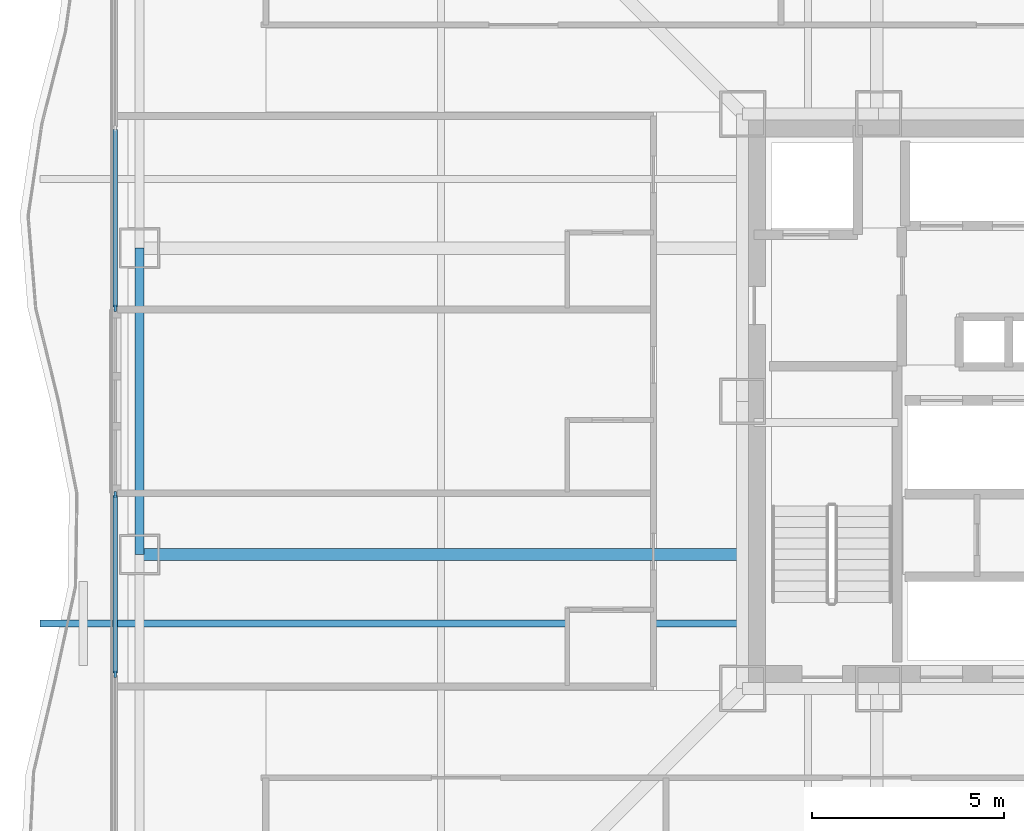
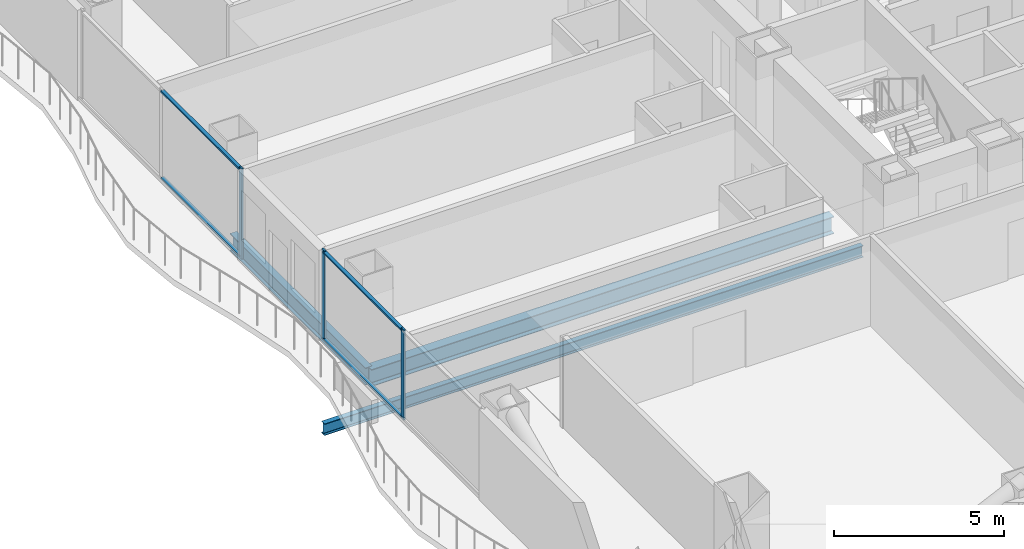
# One storey, part 4 of 24: 7 members, 3 beams, 2 elements without a shape of their own.
"""IFC4 building model written with IfcOpenShell, lengths in metres."""

from ifc_helpers import new_model, si_unit, direction, frame, origin, origin_2d, place, context, subcontext, project, spatial, rectangle, i_section, extrude, material, layer, layer_set, material_profile, profile_set, type_object, element, aggregate, save


model = new_model("IFC4")

# Units and contexts
model_context = context("Model", 3, precision=1e-05, world=origin(), true_north=direction((0.0, 1.0)))
body_context = subcontext(model_context, "Body", "Model", "MODEL_VIEW")
ifc_project = project(units=[si_unit("LENGTHUNIT", "METRE"), si_unit("AREAUNIT", "SQUARE_METRE"), si_unit("VOLUMEUNIT", "CUBIC_METRE"), si_unit("PLANEANGLEUNIT", "RADIAN"), si_unit("MASSUNIT", "GRAM", prefix="KILO")], contexts=[model_context])

# Site, building, storey
site_placement = place(None, origin())
site = spatial("IfcSite", under=ifc_project, at=site_placement, CompositionType="ELEMENT")
building_placement = place(site_placement, origin())
building = spatial("IfcBuilding", under=site, at=building_placement, Name="Trevonay Congress Spire", CompositionType="ELEMENT")
storey_placement = place(building_placement, frame((0.0, 0.0, 55.0)))
storey = spatial("IfcBuildingStorey", under=building, at=storey_placement, Name="L13", CompositionType="ELEMENT", Elevation=55.0)

# Beams
ifc_material_1 = material(Name="Steel ASTM A572 Grade 50", Category="steel")
ifc_material_profile_1 = material_profile(ifc_material_1, i_section(OverallWidth=0.324951171875, OverallDepth=0.615966796875, WebThickness=0.013916015625, FlangeThickness=0.021484375, FilletRadius=0.01806640625, at=origin_2d()), Name="W610x174")
ifc_profile_set_1 = profile_set([ifc_material_profile_1], Name="Steel ASTM A572 Grade 50")
beam_type_1 = type_object("IfcBeamType", Name="BM-GIRD-W610X174", PredefinedType="BEAM", material=ifc_profile_set_1)
beam_1_placement = place(storey_placement, frame((-7.5, -4.0, -0.55810546875), z_axis=(-1.0, 0.0, 0.0), x_axis=(0.0, -1.0, 0.0)))
element("IfcBeam", 1, at=beam_1_placement, inside=storey, type_object=beam_type_1, Name="L13 structural beam BM-L13-GW-M", PredefinedType="BEAM", context=body_context, shape_type="SweptSolid", body=[
    extrude(i_section(OverallWidth=0.324951171875, OverallDepth=0.615966796875, WebThickness=0.013916015625, FlangeThickness=0.021484375, FilletRadius=0.01806640625, at=origin_2d()), origin(), (0.0, 0.0, 1.0), 15.75),
])
ifc_material_profile_2 = material_profile(ifc_material_1, i_section(OverallWidth=0.22998046875, OverallDepth=0.616943359375, WebThickness=0.01318359375, FlangeThickness=0.022216796875, FilletRadius=0.01611328125, at=origin_2d()), Name="W610x140")
ifc_profile_set_2 = profile_set([ifc_material_profile_2], Name="Steel ASTM A572 Grade 50")
beam_type_2 = type_object("IfcBeamType", Name="BM-RING-W610X140", PredefinedType="BEAM", material=ifc_profile_set_2)
beam_2_placement = place(storey_placement, frame((-23.25, -4.0, -0.55859375), z_axis=(0.0, 1.0, 0.0), x_axis=(-1.0, 0.0, 0.0)))
element("IfcBeam", 2, at=beam_2_placement, inside=storey, type_object=beam_type_2, Name="L13 structural beam BM-L13-PW3", PredefinedType="BEAM", context=body_context, shape_type="SweptSolid", body=[
    extrude(i_section(OverallWidth=0.22998046875, OverallDepth=0.616943359375, WebThickness=0.01318359375, FlangeThickness=0.022216796875, FilletRadius=0.01611328125, at=origin_2d()), origin(), (0.0, 0.0, 1.0), 8.0),
])
ifc_material_profile_3 = material_profile(ifc_material_1, i_section(OverallWidth=0.180908203125, OverallDepth=0.4169921875, WebThickness=0.010986328125, FlangeThickness=0.018310546875, FilletRadius=0.012939453125, at=origin_2d()), Name="W410x85")
ifc_profile_set_3 = profile_set([ifc_material_profile_3], Name="Steel ASTM A572 Grade 50")
beam_type_3 = type_object("IfcBeamType", Name="BM-WAV-LOOKOUT", PredefinedType="BEAM", material=ifc_profile_set_3)
beam_3_placement = place(storey_placement, frame((-7.5, -5.800048828125, -0.45849609375), z_axis=(-1.0, 0.0, 0.0), x_axis=(0.0, -1.0, 0.0)))
element("IfcBeam", 3, at=beam_3_placement, inside=storey, type_object=beam_type_3, Name="L13 structural beam WLK-L13-W1", PredefinedType="BEAM", context=body_context, shape_type="SweptSolid", body=[
    extrude(i_section(OverallWidth=0.180908203125, OverallDepth=0.4169921875, WebThickness=0.010986328125, FlangeThickness=0.018310546875, FilletRadius=0.012939453125, at=origin_2d()), origin(), (0.0, 0.0, 1.0), 18.35009765625),
])

# Curtain wall, members
ifc_material_2 = material(Name="Pale Anodised Aluminium EN AW-6063-T6", Category="aluminium")
ifc_layer = layer(ifc_material_2, 0.179931640625, Name="Pale Anodised Aluminium EN AW-6063-T6")
ifc_layer_set = layer_set([ifc_layer], Name="Pale Anodised Aluminium EN AW-6063-T6")
curtain_wall_type = type_object("IfcCurtainWallType", Name="CW-SYS02-HOTEL-PALE-METAL", PredefinedType="NOTDEFINED", material=ifc_layer_set)
curtain_wall_1_placement = place(storey_placement, origin())
curtain_wall_1 = element("IfcCurtainWall", 4, at=curtain_wall_1_placement, inside=storey, type_object=curtain_wall_type, Name="L13 WA unitised curtain wall", PredefinedType="NOTDEFINED")
ifc_material_profile_4 = material_profile(ifc_material_2, rectangle(XDim=0.06005859375, YDim=0.159912109375, at=origin_2d()), Name="CW-MULLION-160-ALUMINIUM")
ifc_profile_set_4 = profile_set([ifc_material_profile_4], Name="Pale Anodised Aluminium EN AW-6063-T6")
member_type_1 = type_object("IfcMemberType", Name="CW-MULLION-160-ALUMINIUM", PredefinedType="MULLION", material=ifc_profile_set_4)
member_1_placement = place(storey_placement, frame((-23.8798828125, -7.125, 0.0), z_axis=(0.0, 0.0, 1.0), x_axis=(-1.0, 0.0, 0.0)))
member_1 = element("IfcMember", 5, at=member_1_placement, type_object=member_type_1, Name="CW02 mullion 2", PredefinedType="MULLION", context=body_context, shape_type="SweptSolid", body=[
    extrude(rectangle(XDim=0.06005859375, YDim=0.159912109375, at=origin_2d()), origin(), (0.0, 0.0, 1.0), 3.25),
])
member_2_placement = place(storey_placement, frame((-23.8798828125, -2.429931640625, 0.0), z_axis=(0.0, 0.0, 1.0), x_axis=(-1.0, 0.0, 0.0)))
member_2 = element("IfcMember", 6, at=member_2_placement, type_object=member_type_1, Name="CW02 mullion 3", PredefinedType="MULLION", context=body_context, shape_type="SweptSolid", body=[
    extrude(rectangle(XDim=0.06005859375, YDim=0.159912109375, at=origin_2d()), origin(), (0.0, 0.0, 1.0), 3.25),
])

# Curtain wall, member
curtain_wall_2_placement = place(storey_placement, origin())
curtain_wall_2 = element("IfcCurtainWall", 7, at=curtain_wall_2_placement, inside=storey, type_object=curtain_wall_type, Name="L13 WB unitised curtain wall", PredefinedType="NOTDEFINED")
member_3_placement = place(storey_placement, frame((-23.8798828125, 2.429931640625, 0.0), z_axis=(0.0, 0.0, 1.0), x_axis=(-1.0, 0.0, 0.0)))
member_3 = element("IfcMember", 8, at=member_3_placement, type_object=member_type_1, Name="CW02 mullion 1", PredefinedType="MULLION", context=body_context, shape_type="SweptSolid", body=[
    extrude(rectangle(XDim=0.06005859375, YDim=0.159912109375, at=origin_2d()), origin(), (0.0, 0.0, 1.0), 3.25),
])

# Member
ifc_material_profile_5 = material_profile(ifc_material_2, rectangle(XDim=0.1201171875, YDim=0.06005859375, at=origin_2d()), Name="CW-TRANSOM-120-ALUMINIUM")
ifc_profile_set_5 = profile_set([ifc_material_profile_5], Name="Pale Anodised Aluminium EN AW-6063-T6")
member_type_2 = type_object("IfcMemberType", Name="CW-TRANSOM-120-ALUMINIUM", PredefinedType="USERDEFINED", material=ifc_profile_set_5)
member_4_placement = place(storey_placement, frame((-23.8798828125, -7.094970703125, 0.06005859375), z_axis=(0.0, 1.0, 0.0), x_axis=(-1.0, 0.0, 0.0)))
member_4 = element("IfcMember", 9, at=member_4_placement, type_object=member_type_2, Name="CW02 transom 2.1", ObjectType="TRANSOM", PredefinedType="USERDEFINED", context=body_context, shape_type="SweptSolid", body=[
    extrude(rectangle(XDim=0.1201171875, YDim=0.06005859375, at=origin_2d()), origin(), (0.0, 0.0, 1.0), 4.635009765625),
])

member_5_placement = place(storey_placement, frame((-23.8798828125, -7.094970703125, 3.18994140625), z_axis=(0.0, 1.0, 0.0), x_axis=(-1.0, 0.0, 0.0)))
member_5 = element("IfcMember", 10, at=member_5_placement, type_object=member_type_2, Name="CW02 transom 2.2", ObjectType="TRANSOM", PredefinedType="USERDEFINED", context=body_context, shape_type="SweptSolid", body=[
    extrude(rectangle(XDim=0.1201171875, YDim=0.06005859375, at=origin_2d()), origin(), (0.0, 0.0, 1.0), 4.635009765625),
])

aggregate(curtain_wall_1, [member_1, member_2, member_4, member_5])

member_6_placement = place(storey_placement, frame((-23.8798828125, 2.4599609375, 0.06005859375), z_axis=(0.0, 1.0, 0.0), x_axis=(-1.0, 0.0, 0.0)))
member_6 = element("IfcMember", 11, at=member_6_placement, type_object=member_type_2, Name="CW02 transom 1.1", ObjectType="TRANSOM", PredefinedType="USERDEFINED", context=body_context, shape_type="SweptSolid", body=[
    extrude(rectangle(XDim=0.1201171875, YDim=0.06005859375, at=origin_2d()), origin(), (0.0, 0.0, 1.0), 4.635009765625),
])

member_7_placement = place(storey_placement, frame((-23.8798828125, 2.4599609375, 3.18994140625), z_axis=(0.0, 1.0, 0.0), x_axis=(-1.0, 0.0, 0.0)))
member_7 = element("IfcMember", 12, at=member_7_placement, type_object=member_type_2, Name="CW02 transom 1.2", ObjectType="TRANSOM", PredefinedType="USERDEFINED", context=body_context, shape_type="SweptSolid", body=[
    extrude(rectangle(XDim=0.1201171875, YDim=0.06005859375, at=origin_2d()), origin(), (0.0, 0.0, 1.0), 4.635009765625),
])

aggregate(curtain_wall_2, [member_3, member_6, member_7])

save(model, "model.ifc")
